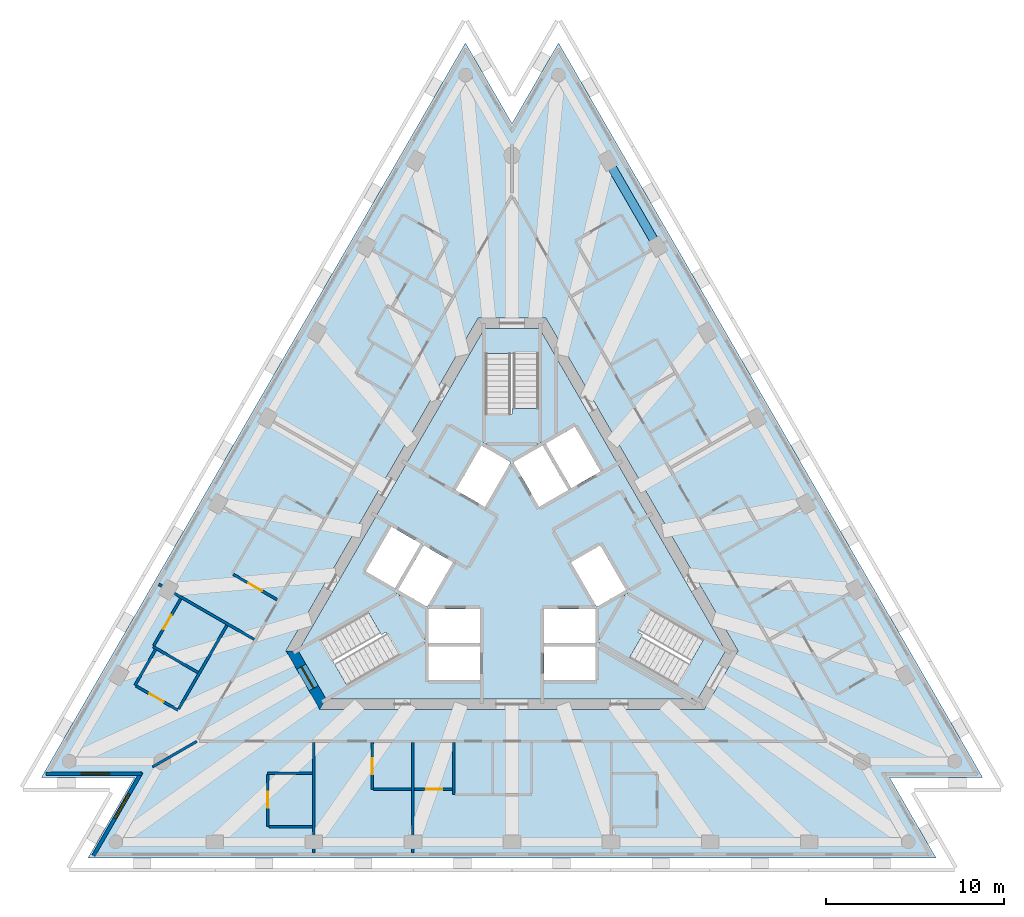
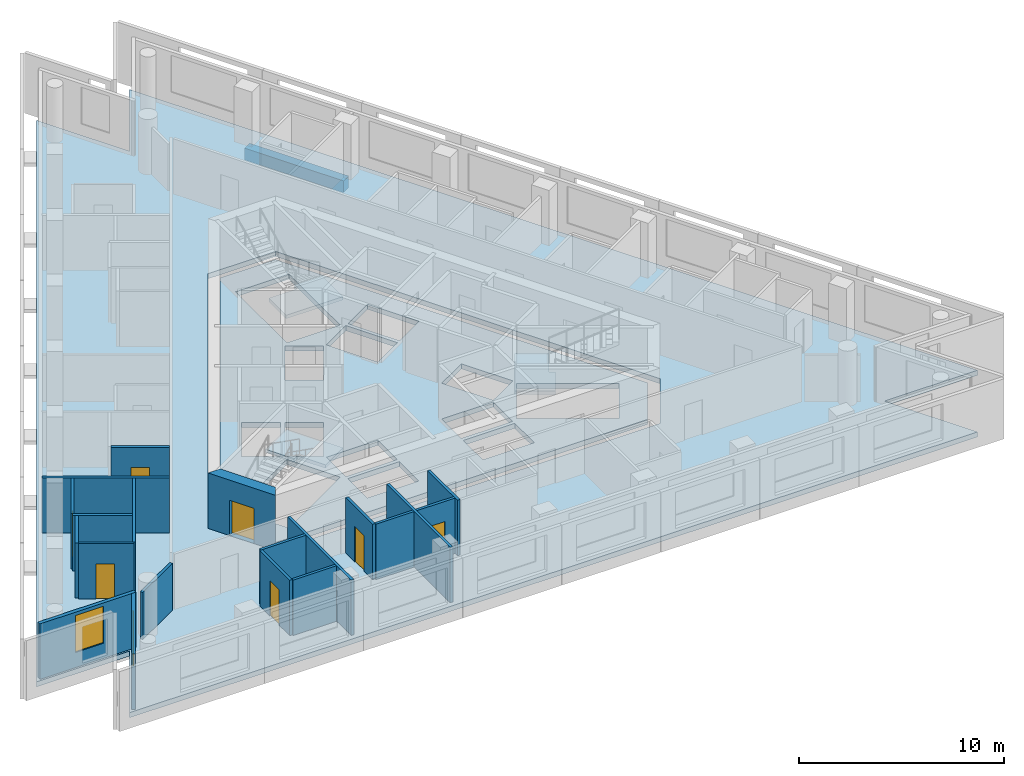
# One storey, part 2 of 10: 20 walls, 7 doors, 5 slabs, 2 windows, 1 beam, 9 openings, 3 elements without a shape of their own.
"""IFC4 building model written with IfcOpenShell, lengths in metres."""

import ifcopenshell
import ifcopenshell.guid

model = None  # the IFC model being written
_history = None  # IfcOwnerHistory: only IFC2X3 demands one
_inside = {}  # id of a spatial element -> (the spatial element, [elements in it])
_under = {}  # id of a project, library or spatial element -> (it, [spatial elements below it])
_declared = {}  # id of a project -> (the project, [libraries it declares])
_typed = {}  # id of a type object -> (the type object, [elements of that type])
_made_of = {}  # id of a material, layer set ... -> (it, [elements and type objects made of it])


def new_model(schema):
    """Start an empty IFC model of exactly this schema.

    Asked for "IFC4X3", IfcOpenShell would pick the latest addendum, in which some entities
    have other attributes; the version numbers below select the first issue.
    IFC2X3 requires an IfcOwnerHistory on every rooted entity: one is made here for all.
    """
    global model, _history
    if schema == "IFC4X3":
        model = ifcopenshell.file(schema_version=(4, 3, 0, 0))
    else:
        model = ifcopenshell.file(schema=schema)
    _inside.clear()
    _under.clear()
    _declared.clear()
    _typed.clear()
    _made_of.clear()
    _history = None
    if model.schema == "IFC2X3":
        org = make("IfcOrganization", Name="unknown")
        user = make(
            "IfcPersonAndOrganization",
            ThePerson=make("IfcPerson", FamilyName="unknown"),
            TheOrganization=org,
        )
        app = make(
            "IfcApplication",
            ApplicationDeveloper=org,
            Version="unknown",
            ApplicationFullName="unknown",
            ApplicationIdentifier="unknown",
        )
        _history = make(
            "IfcOwnerHistory",
            OwningUser=user,
            OwningApplication=app,
            ChangeAction="ADDED",
            CreationDate=0,
        )
    return model


def make(cls, **values):
    """One entity of the class cls with the attributes given. An attribute that is None is left unset."""
    return model.create_entity(
        cls, **{name: value for name, value in values.items() if value is not None}
    )


def rooted(cls, **values):
    """An entity with a GlobalId (a new one), such as an element, a storey or a relation."""
    return make(cls, GlobalId=ifcopenshell.guid.new(), OwnerHistory=_history, **values)


def si_unit(unit_type, name, prefix=None):
    """IfcSIUnit, for example si_unit("LENGTHUNIT", "METRE", prefix="MILLI")."""
    return make("IfcSIUnit", UnitType=unit_type, Prefix=prefix, Name=name)


def assignment(units):
    """IfcUnitAssignment: the units of a project."""
    return None if units is None else make("IfcUnitAssignment", Units=units)


def point(xyz):
    """IfcCartesianPoint."""
    return None if xyz is None else make("IfcCartesianPoint", Coordinates=xyz)


def direction(xyz):
    """IfcDirection."""
    return None if xyz is None else make("IfcDirection", DirectionRatios=xyz)


def frame(location, z_axis=None, x_axis=None):
    """IfcAxis2Placement3D, a coordinate frame: its origin and axes. An axis left out is left unset."""
    return make(
        "IfcAxis2Placement3D",
        Location=point(location),
        Axis=direction(z_axis),
        RefDirection=direction(x_axis),
    )


def frame_2d(location, x_axis=None):
    """IfcAxis2Placement2D, a coordinate frame in the plane: its origin and x axis."""
    return make(
        "IfcAxis2Placement2D", Location=point(location), RefDirection=direction(x_axis)
    )


def origin():
    """The frame at (0, 0, 0) with its axes left unset."""
    return frame((0.0, 0.0, 0.0))


def origin_2d():
    """The frame at (0, 0) in the plane with its x axis left unset."""
    return frame_2d((0.0, 0.0))


def place(relative_to, where):
    """IfcLocalPlacement: puts the frame where relative to a parent placement (None: the world)."""
    return make(
        "IfcLocalPlacement", PlacementRelTo=relative_to, RelativePlacement=where
    )


def context(
    kind, dimensions, precision=None, world=None, true_north=None, identifier=None
):
    """IfcGeometricRepresentationContext, for example the 3D "Model" context."""
    return make(
        "IfcGeometricRepresentationContext",
        ContextIdentifier=identifier,
        ContextType=kind,
        CoordinateSpaceDimension=dimensions,
        Precision=precision,
        WorldCoordinateSystem=world,
        TrueNorth=true_north,
    )


def subcontext(parent, identifier, kind, view, scale=None):
    """IfcGeometricRepresentationSubContext, for example "Body" below "Model"."""
    return make(
        "IfcGeometricRepresentationSubContext",
        ContextIdentifier=identifier,
        ContextType=kind,
        ParentContext=parent,
        TargetScale=scale,
        TargetView=view,
    )


def project(units=None, contexts=None):
    """IfcProject with its units and contexts."""
    return rooted(
        "IfcProject",
        Name="project",
        RepresentationContexts=contexts,
        UnitsInContext=assignment(units),
    )


def spatial(cls, under=None, at=None, **own):
    """A site, building, storey or space (cls), placed at a placement, below another one or the project."""
    s = rooted(cls, ObjectPlacement=at, **own)
    if under is not None:
        _under.setdefault(under.id(), (under, []))[1].append(s)
    return s


def polyline(points):
    """IfcPolyline through the points."""
    return make("IfcPolyline", Points=[point(p) for p in points])


def profile(cls, at=None, kind="AREA", **sizes):
    """A parametric profile (cls). Its sizes go by their IFC names, for example OverallWidth=200.0."""
    return make(cls, ProfileType=kind, Position=at, **sizes)


def rectangle(**sizes):
    """IfcRectangleProfileDef."""
    return profile("IfcRectangleProfileDef", **sizes)


def outline(outer, holes=None, kind="AREA"):
    """IfcArbitraryClosedProfileDef: a profile drawn as a closed curve; with holes, ...WithVoids."""
    if holes is None:
        return make("IfcArbitraryClosedProfileDef", ProfileType=kind, OuterCurve=outer)
    return make(
        "IfcArbitraryProfileDefWithVoids",
        ProfileType=kind,
        OuterCurve=outer,
        InnerCurves=holes,
    )


def extrude(swept, where, along, depth):
    """IfcExtrudedAreaSolid: the profile swept, set in the frame where, extruded along a direction by depth."""
    return make(
        "IfcExtrudedAreaSolid",
        SweptArea=swept,
        Position=where,
        ExtrudedDirection=direction(along),
        Depth=depth,
    )


def shape(context_of_items, identifier, shape_type, items):
    """IfcShapeRepresentation: the items that make up one representation, for example the "Body"."""
    return make(
        "IfcShapeRepresentation",
        ContextOfItems=context_of_items,
        RepresentationIdentifier=identifier,
        RepresentationType=shape_type,
        Items=items,
    )


def material(Name=None, Category=None):
    """IfcMaterial."""
    return make("IfcMaterial", Name=Name, Category=Category)


def layer(
    of_material, thickness, ventilated=None, Name=None, Category=None, Priority=None
):
    """IfcMaterialLayer: one layer of a wall or slab, of a material (None: an air gap)."""
    return make(
        "IfcMaterialLayer",
        Material=of_material,
        LayerThickness=thickness,
        IsVentilated=ventilated,
        Name=Name,
        Category=Category,
        Priority=Priority,
    )


def layer_set(layers, Name=None):
    """IfcMaterialLayerSet."""
    return make("IfcMaterialLayerSet", MaterialLayers=layers, LayerSetName=Name)


def layer_usage(for_layer_set, set_direction, sense, offset, extent=None):
    """IfcMaterialLayerSetUsage: how a layer set lies in its element."""
    return make(
        "IfcMaterialLayerSetUsage",
        ForLayerSet=for_layer_set,
        LayerSetDirection=set_direction,
        DirectionSense=sense,
        OffsetFromReferenceLine=offset,
        ReferenceExtent=extent,
    )


def material_profile(
    of_material, cross_section, Name=None, Category=None, Priority=None
):
    """IfcMaterialProfile: a cross section and its material."""
    return make(
        "IfcMaterialProfile",
        Name=Name,
        Material=of_material,
        Profile=cross_section,
        Priority=Priority,
        Category=Category,
    )


def profile_set(profiles, Name=None, composite=None):
    """IfcMaterialProfileSet."""
    return make(
        "IfcMaterialProfileSet",
        Name=Name,
        MaterialProfiles=profiles,
        CompositeProfile=composite,
    )


def made_of(thing, what):
    """Note that an element or type object is made of a material, layer set ...; save() writes the relation."""
    if what is not None:
        _made_of.setdefault(what.id(), (what, []))[1].append(thing)
    return thing


def type_object(cls, material=None, **own):
    """A type object (cls), such as IfcWallType, which elements share."""
    return made_of(rooted(cls, **own), material)


def element(
    cls,
    number,
    at=None,
    inside=None,
    cuts=None,
    type_object=None,
    material=None,
    context=None,
    identifier="Body",
    shape_type=None,
    held_by="IfcProductDefinitionShape",
    body=None,
    shapes=None,
    **own,
):
    """One element of the class cls, such as IfcWall. Its Tag is "e" and its number.

    at: its placement. inside: the storey or other place that contains it. cuts: it is an
    opening in that element (IfcRelVoidsElement). A single representation is given by context,
    identifier, shape_type and body (its items); several are given by shapes. held_by: the class
    of the entity that holds the representations. save() writes the other relations.
    """
    e = rooted(cls, Tag="e%d" % number, ObjectPlacement=at, **own)
    if body is not None:
        shapes = [shape(context, identifier, shape_type, body)]
    if shapes is not None:
        e.Representation = make(held_by, Representations=shapes)
    if inside is not None:
        _inside.setdefault(inside.id(), (inside, []))[1].append(e)
    if cuts is not None:
        rooted(
            "IfcRelVoidsElement", RelatingBuildingElement=cuts, RelatedOpeningElement=e
        )
    if type_object is not None:
        _typed.setdefault(type_object.id(), (type_object, []))[1].append(e)
    return made_of(e, material)


def fill(opening, filler):
    """IfcRelFillsElement: the door or window that sits in an opening."""
    return rooted(
        "IfcRelFillsElement",
        RelatingOpeningElement=opening,
        RelatedBuildingElement=filler,
    )


def aggregate(whole, parts):
    """IfcRelAggregates: a whole, such as a stair, and the parts it consists of."""
    return rooted("IfcRelAggregates", RelatingObject=whole, RelatedObjects=parts)


def save(model, path):
    """Write the relations noted so far, then the file.

    IfcRelAggregates (storeys below a building ...), IfcRelContainedInSpatialStructure (elements
    in a storey), IfcRelDefinesByType, IfcRelAssociatesMaterial and IfcRelDeclares: one each for
    every whole, place, type object, material and project.
    """
    for whole, parts in _under.values():
        aggregate(whole, parts)
    for where, things in _inside.values():
        rooted(
            "IfcRelContainedInSpatialStructure",
            RelatedElements=things,
            RelatingStructure=where,
        )
    for kind, things in _typed.values():
        rooted("IfcRelDefinesByType", RelatedObjects=things, RelatingType=kind)
    for what, things in _made_of.values():
        rooted("IfcRelAssociatesMaterial", RelatedObjects=things, RelatingMaterial=what)
    for by, libraries in _declared.values():
        rooted("IfcRelDeclares", RelatingContext=by, RelatedDefinitions=libraries)
    model.write(path)


model = new_model("IFC4")

# Units and contexts
model_context = context("Model", 3, precision=1e-05, world=origin(), true_north=direction((0.0, 1.0)))
body_context = subcontext(model_context, "Body", "Model", "MODEL_VIEW")
ifc_project = project(units=[si_unit("LENGTHUNIT", "METRE"), si_unit("AREAUNIT", "SQUARE_METRE"), si_unit("VOLUMEUNIT", "CUBIC_METRE"), si_unit("PLANEANGLEUNIT", "RADIAN"), si_unit("MASSUNIT", "GRAM", prefix="KILO")], contexts=[model_context])

# Site, building, storey
site_placement = place(None, origin())
site = spatial("IfcSite", under=ifc_project, at=site_placement, CompositionType="ELEMENT")
building_placement = place(site_placement, origin())
building = spatial("IfcBuilding", under=site, at=building_placement, Name="Triada Interchange Tower", CompositionType="ELEMENT")
storey_placement = place(building_placement, frame((0.0, 0.0, 271.89990234375)))
storey = spatial("IfcBuildingStorey", under=building, at=storey_placement, Name="L63", CompositionType="ELEMENT", Elevation=271.89990234375)

# Beam
ifc_material_1 = material(Name="Concrete C50/60", Category="concrete")
ifc_material_profile = material_profile(ifc_material_1, rectangle(XDim=0.5, YDim=0.699951171875, at=origin_2d()), Name="RC 500x700")
ifc_profile_set = profile_set([ifc_material_profile], Name="Concrete C50/60")
beam_type = type_object("IfcBeamType", Name="Spandrel beam D RC 500x700", PredefinedType="BEAM", material=ifc_profile_set)
beam_placement = place(storey_placement, frame((8.202880859375, 17.6259765625, -0.64990234375), z_axis=(-0.499926960557, 0.86606756902, 0.0), x_axis=(-0.86606756902, -0.499926960557, 0.0)))
element("IfcBeam", 1, at=beam_placement, inside=storey, type_object=beam_type, Name="Spandrel beam ED27 L63", PredefinedType="BEAM", context=body_context, shape_type="SweptSolid", body=[
    extrude(rectangle(XDim=0.5, YDim=0.699951171875, at=origin_2d()), origin(), (0.0, 0.0, 1.0), 5.580322265625),
])

# Slabs
ifc_layer_1 = layer(ifc_material_1, 0.300048828125)
ifc_layer_set_1 = layer_set([ifc_layer_1], Name="Floor slab 300")
slab_type_1 = type_object("IfcSlabType", Name="Floor slab 300", PredefinedType="FLOOR", material=ifc_layer_set_1)
slab_1_placement = place(storey_placement, frame((0.0, 0.0, -0.2998046875)))
element("IfcSlab", 2, at=slab_1_placement, inside=storey, type_object=slab_type_1, Name="Floor slab L63", PredefinedType="FLOOR", context=body_context, shape_type="SweptSolid", body=[
    extrude(outline(polyline([(-2.6220703125, 29.093017578125), (-26.506103515625, -12.27587890625), (-21.262939453125, -12.27587890625), (-23.885009765625, -16.81689453125), (23.885009765625, -16.81689453125), (21.262939453125, -12.27587890625), (26.506103515625, -12.27587890625), (2.6220703125, 29.093017578125), (0.0, 24.552978515625), (-2.6220703125, 29.093017578125)]), holes=[polyline([(1.905029296875, 13.60009765625), (-1.905029296875, 13.60009765625), (-12.73095703125, -5.14990234375), (-10.824951171875, -8.449951171875), (10.824951171875, -8.449951171875), (12.73095703125, -5.14990234375), (1.905029296875, 13.60009765625)])]), origin(), (0.0, 0.0, 1.0), 0.2998046875),
])
slab_2_placement = place(storey_placement, frame((0.0, 0.0, -0.2998046875)))
element("IfcSlab", 3, at=slab_2_placement, inside=storey, type_object=slab_type_1, Name="Core floor slab L63 1", PredefinedType="FLOOR", context=body_context, shape_type="SweptSolid", body=[
    extrude(outline(polyline([(12.0380859375, -5.14990234375), (10.47900390625, -7.85009765625), (-10.47900390625, -7.85009765625), (-12.0380859375, -5.14990234375), (-1.55908203125, 13.0), (1.55908203125, 13.0), (12.0380859375, -5.14990234375)]), holes=[polyline([(9.2958984375, -7.09912109375), (10.7958984375, -4.5009765625), (6.466064453125, -2.0009765625), (4.966064453125, -4.59912109375), (9.2958984375, -7.09912109375)]), polyline([(4.969970703125, 0.791015625), (3.324951171875, -0.158935546875), (4.77490234375, -2.669921875), (6.419921875, -1.719970703125), (4.969970703125, 0.791015625)]), polyline([(1.89404296875, 6.52001953125), (3.343994140625, 4.009033203125), (4.989013671875, 4.958984375), (3.5390625, 7.469970703125), (1.89404296875, 6.52001953125)]), polyline([(1.800048828125, -4.89990234375), (1.800048828125, -6.4990234375), (1.800048828125, -6.800048828125), (4.699951171875, -6.800048828125), (4.699951171875, -4.89990234375), (1.800048828125, -4.89990234375)]), polyline([(4.699951171875, -2.800048828125), (1.800048828125, -2.800048828125), (1.800048828125, -4.699951171875), (4.699951171875, -4.699951171875), (4.699951171875, -2.800048828125)]), polyline([(1.52490234375, 2.958984375), (2.594970703125, 3.576904296875), (3.169921875, 3.908935546875), (1.719970703125, 6.419921875), (0.074951171875, 5.469970703125), (1.52490234375, 2.958984375)]), polyline([(-1.5, 11.60009765625), (-1.5, 6.60009765625), (1.5, 6.60009765625), (1.5, 11.60009765625), (-1.5, 11.60009765625)]), polyline([(-1.52490234375, 2.958984375), (-0.074951171875, 5.469970703125), (-1.719970703125, 6.419921875), (-3.169921875, 3.908935546875), (-1.52490234375, 2.958984375)]), polyline([(-1.800048828125, -2.800048828125), (-4.699951171875, -2.800048828125), (-4.699951171875, -4.699951171875), (-1.800048828125, -4.699951171875), (-1.800048828125, -2.800048828125)]), polyline([(-4.699951171875, -6.800048828125), (-1.800048828125, -6.800048828125), (-1.800048828125, -6.4990234375), (-1.800048828125, -4.89990234375), (-4.699951171875, -4.89990234375), (-4.699951171875, -6.800048828125)]), polyline([(-3.427978515625, -0.09912109375), (-4.969970703125, 0.791015625), (-6.419921875, -1.719970703125), (-4.77490234375, -2.669921875), (-3.324951171875, -0.158935546875), (-3.427978515625, -0.09912109375)]), polyline([(-10.7958984375, -4.5009765625), (-9.2958984375, -7.09912109375), (-4.966064453125, -4.59912109375), (-6.466064453125, -2.0009765625), (-10.7958984375, -4.5009765625)]), polyline([(-6.593994140625, -1.6201171875), (-5.14404296875, 0.89111328125), (-6.7890625, 1.841064453125), (-8.239013671875, -0.669921875), (-6.593994140625, -1.6201171875)])]), origin(), (0.0, 0.0, 1.0), 0.2998046875),
])

# Stair, slab
ifc_material_2 = material(Name="Concrete C35/45", Category="concrete")
stair_type = type_object("IfcStairType", Name="HALF TURN STAIR 1400", PredefinedType="HALF_TURN_STAIR", material=ifc_material_2)
stair_1_placement = place(storey_placement, origin())
stair_1 = element("IfcStair", 4, at=stair_1_placement, inside=storey, type_object=stair_type, Name="Exit stair S62-1", PredefinedType="HALF_TURN_STAIR")
ifc_layer_2 = layer(ifc_material_2, 0.199951171875)
ifc_layer_set_2 = layer_set([ifc_layer_2], Name="STAIR LANDING 200")
slab_type_2 = type_object("IfcSlabType", Name="STAIR LANDING 200", PredefinedType="LANDING", material=ifc_layer_set_2)
slab_3_placement = place(storey_placement, frame((0.0, 0.0, 1.521728515625)))
slab_3 = element("IfcSlab", 5, at=slab_3_placement, type_object=slab_type_2, Name="S62-1 landing 1", PredefinedType="LANDING", context=body_context, shape_type="SweptSolid", body=[
    extrude(outline(polyline([(1.60009765625, 6.5), (1.60009765625, 8.5), (0.0, 8.5), (0.0, 8.18994140625), (-1.60009765625, 8.18994140625), (-1.60009765625, 6.5), (1.60009765625, 6.5)])), origin(), (0.0, 0.0, 1.0), 0.199951171875),
])
aggregate(stair_1, [slab_3])

stair_2_placement = place(storey_placement, origin())
stair_2 = element("IfcStair", 6, at=stair_2_placement, inside=storey, type_object=stair_type, Name="Exit stair S62-2", PredefinedType="HALF_TURN_STAIR")
slab_4_placement = place(storey_placement, frame((0.0, 0.0, 1.521728515625)))
slab_4 = element("IfcSlab", 7, at=slab_4_placement, type_object=slab_type_2, Name="S62-2 landing 1", PredefinedType="LANDING", context=body_context, shape_type="SweptSolid", body=[
    extrude(outline(polyline([(-6.428955078125, -1.864013671875), (-8.160888671875, -2.864013671875), (-7.361083984375, -4.25), (-7.093017578125, -4.094970703125), (-6.29296875, -5.48095703125), (-4.8291015625, -4.635986328125), (-6.428955078125, -1.864013671875)])), origin(), (0.0, 0.0, 1.0), 0.199951171875),
])
aggregate(stair_2, [slab_4])

stair_3_placement = place(storey_placement, origin())
stair_3 = element("IfcStair", 8, at=stair_3_placement, inside=storey, type_object=stair_type, Name="Exit stair S62-3", PredefinedType="HALF_TURN_STAIR")
slab_5_placement = place(storey_placement, frame((0.0, 0.0, 1.521728515625)))
slab_5 = element("IfcSlab", 9, at=slab_5_placement, type_object=slab_type_2, Name="S62-3 landing 1", PredefinedType="LANDING", context=body_context, shape_type="SweptSolid", body=[
    extrude(outline(polyline([(4.8291015625, -4.635986328125), (6.56103515625, -5.635986328125), (7.361083984375, -4.25), (7.093017578125, -4.094970703125), (7.89306640625, -2.708984375), (6.428955078125, -1.864013671875), (4.8291015625, -4.635986328125)])), origin(), (0.0, 0.0, 1.0), 0.199951171875),
])
aggregate(stair_3, [slab_5])

# Wall, opening, door
ifc_material_3 = material(Name="Concrete C40/50", Category="concrete")
ifc_layer_3 = layer(ifc_material_3, 0.60009765625)
ifc_layer_set_3 = layer_set([ifc_layer_3], Name="Core wall D 600")
wall_type_1 = type_object("IfcWallType", Name="Core wall D 600", PredefinedType="SHEAR", material=ifc_layer_set_3)
wall_1_placement = place(storey_placement, frame((-12.384033203125, -5.14990234375, -0.2998046875), z_axis=(0.0, 0.0, 1.0), x_axis=(0.49997462182, -0.866040055388, 0.0)))
wall_1 = element("IfcWall", 10, at=wall_1_placement, inside=storey, type_object=wall_type_1, Name="Core wall WD03 L63", PredefinedType="SHEAR", context=body_context, shape_type="SweptSolid", body=[
    extrude(outline(polyline([(-0.173095703125, -0.301025390625), (1.73193359375, -0.300537109375), (3.636962890625, -0.300048828125), (3.291015625, 0.300048828125), (1.73193359375, 0.300048828125), (0.173095703125, 0.300048828125), (-0.173095703125, -0.301025390625)])), origin(), (0.0, 0.0, 1.0), 3.599853515625),
])
opening_1_placement = place(wall_1_placement, frame((1.031982421875, 0.0, 0.300048828125)))
opening_1 = element("IfcOpeningElement", 11, at=opening_1_placement, cuts=wall_1, Name="Opening D62-49", PredefinedType="OPENING", context=body_context, shape_type="SweptSolid", body=[
    extrude(rectangle(XDim=1.39990234375, YDim=2.10009765625, at=frame_2d((0.699951171875, 1.050048828125))), frame((0.0, 0.31005859375, 0.0), z_axis=(0.0, -1.0, 0.0), x_axis=(1.0, 0.0, 0.0)), (0.0, 0.0, 1.0), 0.62109375),
])
ifc_material_4 = material(Name="Steel S235 door leaf", Category="steel")
door_type_1 = type_object("IfcDoorType", Name="STAIR DOOR 1400 EI2 90-C5S200", OperationType="DOUBLE_DOOR_SINGLE_SWING", PredefinedType="DOOR", material=ifc_material_4)
door_1_placement = place(opening_1_placement, origin())
door_1 = element("IfcDoor", 12, at=door_1_placement, inside=storey, type_object=door_type_1, Name="Door D62-49 L63", OperationType="DOUBLE_DOOR_SINGLE_SWING", OverallHeight=2.10009765625, OverallWidth=1.39990234375, PredefinedType="DOOR", context=body_context, shape_type="SweptSolid", body=[
    extrude(rectangle(XDim=1.39990234375, YDim=2.10009765625, at=frame_2d((0.699951171875, 1.050048828125))), frame((0.0, 0.02490234375, 0.0), z_axis=(0.0, -1.0, 0.0), x_axis=(1.0, 0.0, 0.0)), (0.0, 0.0, 1.0), 0.050048828125),
])
fill(opening_1, door_1)

# Wall, opening, window
ifc_material_5 = material(Name="Cement board")
ifc_layer_4 = layer(ifc_material_5, 0.02001953125, Name="Cement board cladding")
ifc_material_6 = material(Name="Sheathing board")
ifc_layer_5 = layer(ifc_material_6, 0.014892578125, Name="Sheathing board")
ifc_material_7 = material(Name="Mineral wool")
ifc_layer_6 = layer(ifc_material_7, 0.14990234375, Name="Mineral wool between steel studs")
ifc_material_8 = material(Name="Gypsum board")
ifc_layer_7 = layer(ifc_material_8, 0.014892578125, Name="Plasterboard lining")
ifc_layer_set_4 = layer_set([ifc_layer_4, ifc_layer_5, ifc_layer_6, ifc_layer_7], Name="External wall 200")
ifc_layer_usage = layer_usage(ifc_layer_set_4, "AXIS2", "POSITIVE", -0.10009765625)
wall_type_2 = type_object("IfcWallType", Name="External wall 200", PredefinedType="ELEMENTEDWALL", material=ifc_layer_set_4)
wall_2_placement = place(storey_placement, frame((-26.25, -12.075927734375, 0.0), z_axis=(0.0, 0.0, 1.0), x_axis=(1.0, 0.0, 0.0)))
wall_2 = element("IfcWall", 13, at=wall_2_placement, inside=storey, type_object=wall_type_2, material=ifc_layer_usage, Name="External wall L63 SW-1", PredefinedType="ELEMENTEDWALL", context=body_context, shape_type="SweptSolid", body=[
    extrude(rectangle(XDim=5.403076171875, YDim=0.199951171875, at=frame_2d((2.70166015625, 0.0))), origin(), (0.0, 0.0, 1.0), 3.300048828125),
])
opening_2_placement = place(wall_2_placement, frame((1.989990234375, 0.0, 0.89990234375)))
opening_2 = element("IfcOpeningElement", 14, at=opening_2_placement, cuts=wall_2, Name="Opening WD09", PredefinedType="OPENING", context=body_context, shape_type="SweptSolid", body=[
    extrude(rectangle(XDim=1.60009765625, YDim=2.199951171875, at=frame_2d((0.800048828125, 1.10009765625))), frame((0.0, 0.10986328125, 0.0), z_axis=(0.0, -1.0, 0.0), x_axis=(1.0, 0.0, 0.0)), (0.0, 0.0, 1.0), 0.219970703125),
])
ifc_material_9 = material(Name="Double glazed aluminium window", Category="aluminium")
window_type = type_object("IfcWindowType", Name="Ribbon window D pocket", PartitioningType="SINGLE_PANEL", PredefinedType="WINDOW", material=ifc_material_9)
window_1_placement = place(opening_2_placement, origin())
window_1 = element("IfcWindow", 15, at=window_1_placement, inside=storey, type_object=window_type, Name="Window L63 SW-1 1", OverallHeight=2.199951171875, OverallWidth=1.60009765625, PartitioningType="SINGLE_PANEL", PredefinedType="WINDOW", context=body_context, shape_type="SweptSolid", body=[
    extrude(rectangle(XDim=1.60009765625, YDim=2.199951171875, at=frame_2d((0.800048828125, 1.10009765625))), frame((0.0, 0.030029296875, 0.0), z_axis=(0.0, -1.0, 0.0), x_axis=(1.0, 0.0, 0.0)), (0.0, 0.0, 1.0), 0.06005859375),
])
fill(opening_2, window_1)

wall_3_placement = place(storey_placement, frame((-20.8720703125, -11.998046875, 0.0), z_axis=(0.0, 0.0, 1.0), x_axis=(-0.499992297805, -0.866029850603, 0.0)))
wall_3 = element("IfcWall", 16, at=wall_3_placement, inside=storey, type_object=wall_type_2, material=ifc_layer_usage, Name="External wall L63 SW-2", PredefinedType="ELEMENTEDWALL", context=body_context, shape_type="SweptSolid", body=[
    extrude(rectangle(XDim=5.40380859375, YDim=0.199951171875, at=frame_2d((2.701904296875, 0.0))), origin(), (0.0, 0.0, 1.0), 3.300048828125),
])
opening_3_placement = place(wall_3_placement, frame((1.389892578125, 0.0, 0.89990234375)))
opening_3 = element("IfcOpeningElement", 17, at=opening_3_placement, cuts=wall_3, Name="Opening WD10", PredefinedType="OPENING", context=body_context, shape_type="SweptSolid", body=[
    extrude(rectangle(XDim=1.60009765625, YDim=2.199951171875, at=frame_2d((0.800048828125, 1.10009765625))), frame((0.0, 0.10986328125, 0.0), z_axis=(0.0, -1.0, 0.0), x_axis=(1.0, 0.0, 0.0)), (0.0, 0.0, 1.0), 0.219970703125),
])
window_2_placement = place(opening_3_placement, origin())
window_2 = element("IfcWindow", 18, at=window_2_placement, inside=storey, type_object=window_type, Name="Window L63 SW-2 1", OverallHeight=2.199951171875, OverallWidth=1.60009765625, PartitioningType="SINGLE_PANEL", PredefinedType="WINDOW", context=body_context, shape_type="SweptSolid", body=[
    extrude(rectangle(XDim=1.60009765625, YDim=2.199951171875, at=frame_2d((0.800048828125, 1.10009765625))), frame((0.0, 0.030029296875, 0.0), z_axis=(0.0, -1.0, 0.0), x_axis=(1.0, 0.0, 0.0)), (0.0, 0.0, 1.0), 0.06005859375),
])
fill(opening_3, window_2)

# Walls
ifc_material_10 = material(Name="Gypsum board partition")
ifc_layer_8 = layer(ifc_material_10, 0.14990234375)
ifc_layer_set_5 = layer_set([ifc_layer_8], Name="PARTITION 150 EI 180")
wall_type_3 = type_object("IfcWallType", Name="PARTITION 150 EI 180", PredefinedType="PARTITIONING", material=ifc_layer_set_5)
wall_4_placement = place(storey_placement, frame((-20.240966796875, -11.68603515625, 0.0), z_axis=(0.0, 0.0, 1.0), x_axis=(0.86594358484, 0.5001416878, 0.0)))
element("IfcWall", 19, at=wall_4_placement, inside=storey, type_object=wall_type_3, Name="Wall L62 1", PredefinedType="PARTITIONING", context=body_context, shape_type="SweptSolid", body=[
    extrude(rectangle(XDim=2.873291015625, YDim=0.14990234375, at=frame_2d((1.4365234375, 0.0))), origin(), (0.0, 0.0, 1.0), 2.800048828125),
])
wall_5_placement = place(storey_placement, frame((-19.903076171875, -1.39892578125, 0.0), z_axis=(0.0, 0.0, 1.0), x_axis=(0.866043575568, -0.499968524226, 0.0)))
element("IfcWall", 20, at=wall_5_placement, inside=storey, type_object=wall_type_3, Name="Wall L62 3", PredefinedType="PARTITIONING", context=body_context, shape_type="SweptSolid", body=[
    extrude(rectangle(XDim=6.21240234375, YDim=0.14990234375, at=frame_2d((3.106201171875, 0.0))), origin(), (0.0, 0.0, 1.0), 3.300048828125),
])
for number, where, z_axis, x_axis, name in (
    (21, (-11.1630859375, -16.537109375, 0.0), (0.0, 0.0, 1.0), (0.0, 1.0, 0.0), "Wall L62 9"),
    (22, (-5.5810546875, -16.537109375, 0.0), (0.0, 0.0, 1.0), (0.0, 1.0, 0.0), "Wall L62 16"),
):
    element("IfcWall", number, at=place(storey_placement, frame(where, z_axis=z_axis, x_axis=x_axis)), inside=storey, type_object=wall_type_3, Name=name, PredefinedType="PARTITIONING", context=body_context, shape_type="SweptSolid", body=[
        extrude(rectangle(XDim=6.212158203125, YDim=0.14990234375, at=frame_2d((3.10595703125, 0.0))), origin(), (0.0, 0.0, 1.0), 3.300048828125),
    ])
wall_6_placement = place(storey_placement, frame((-3.281005859375, -13.25, 0.0), z_axis=(0.0, 0.0, 1.0), x_axis=(0.0, 1.0, 0.0)))
element("IfcWall", 23, at=wall_6_placement, inside=storey, type_object=wall_type_3, Name="Wall L62 17", PredefinedType="PARTITIONING", context=body_context, shape_type="SweptSolid", body=[
    extrude(rectangle(XDim=2.925048828125, YDim=0.14990234375, at=frame_2d((1.46240234375, 0.0))), origin(), (0.0, 0.0, 1.0), 3.300048828125),
])
ifc_layer_9 = layer(ifc_material_10, 0.14990234375)
ifc_layer_set_6 = layer_set([ifc_layer_9], Name="PARTITION 150 EI 90")
wall_type_4 = type_object("IfcWallType", Name="PARTITION 150 EI 90", PredefinedType="PARTITIONING", material=ifc_layer_set_6)
wall_7_placement = place(storey_placement, frame((-20.215087890625, -4.9140625, 0.0), z_axis=(0.0, 0.0, 1.0), x_axis=(0.866118873815, -0.499838070201, 0.0)))
element("IfcWall", 24, at=wall_7_placement, inside=storey, type_object=wall_type_4, Name="Wall L62 31", PredefinedType="PARTITIONING", context=body_context, shape_type="SweptSolid", body=[
    extrude(rectangle(XDim=2.9248046875, YDim=0.14990234375, at=frame_2d((1.46240234375, 0.0))), origin(), (0.0, 0.0, 1.0), 3.300048828125),
])
wall_8_placement = place(storey_placement, frame((-21.241943359375, -7.092041015625, 0.0), z_axis=(0.0, 0.0, 1.0), x_axis=(0.500216356891, 0.865900454035, 0.0)))
element("IfcWall", 25, at=wall_8_placement, inside=storey, type_object=wall_type_4, Name="Wall L62 32", PredefinedType="PARTITIONING", context=body_context, shape_type="SweptSolid", body=[
    extrude(rectangle(XDim=2.32470703125, YDim=0.14990234375, at=frame_2d((1.162353515625, 0.0))), origin(), (0.0, 0.0, 1.0), 3.300048828125),
])

# Wall, opening, door
wall_9_placement = place(storey_placement, frame((-21.177001953125, -7.1298828125, 0.0), z_axis=(0.0, 0.0, 1.0), x_axis=(0.866112488944, -0.499849133735, 0.0)))
wall_9 = element("IfcWall", 26, at=wall_9_placement, inside=storey, type_object=wall_type_4, Name="Wall L62 33", PredefinedType="PARTITIONING", context=body_context, shape_type="SweptSolid", body=[
    extrude(rectangle(XDim=2.724853515625, YDim=0.14990234375, at=frame_2d((1.3623046875, 0.0))), origin(), (0.0, 0.0, 1.0), 3.300048828125),
])
opening_4_placement = place(wall_9_placement, frame((0.875, 0.0, 0.0)))
opening_4 = element("IfcOpeningElement", 27, at=opening_4_placement, cuts=wall_9, Name="Opening D62-46", PredefinedType="OPENING", context=body_context, shape_type="SweptSolid", body=[
    extrude(rectangle(XDim=0.89990234375, YDim=2.10009765625, at=frame_2d((0.449951171875, 1.050048828125))), frame((0.0, 0.0849609375, 0.0), z_axis=(0.0, -1.0, 0.0), x_axis=(1.0, 0.0, 0.0)), (0.0, 0.0, 1.0), 0.169921875),
])
door_type_2 = type_object("IfcDoorType", Name="SERVICE DOOR 900 EI2 45-C5S200", OperationType="NOTDEFINED", PredefinedType="DOOR", material=ifc_material_4)
door_2_placement = place(opening_4_placement, origin())
door_2 = element("IfcDoor", 28, at=door_2_placement, inside=storey, type_object=door_type_2, Name="Door D62-46 L63", OperationType="SINGLE_SWING_RIGHT", OverallHeight=2.10009765625, OverallWidth=0.89990234375, PredefinedType="DOOR", context=body_context, shape_type="SweptSolid", body=[
    extrude(rectangle(XDim=0.89990234375, YDim=2.10009765625, at=frame_2d((0.449951171875, 1.050048828125))), frame((0.0, 0.02490234375, 0.0), z_axis=(0.0, -1.0, 0.0), x_axis=(1.0, 0.0, 0.0)), (0.0, 0.0, 1.0), 0.050048828125),
])
fill(opening_4, door_2)

# Wall
wall_10_placement = place(storey_placement, frame((-18.780029296875, -8.427001953125, 0.0), z_axis=(0.0, 0.0, 1.0), x_axis=(0.500002931134, 0.866023711487, 0.0)))
element("IfcWall", 29, at=wall_10_placement, inside=storey, type_object=wall_type_4, Name="Wall L62 34", PredefinedType="PARTITIONING", context=body_context, shape_type="SweptSolid", body=[
    extrude(rectangle(XDim=5.4501953125, YDim=0.14990234375, at=frame_2d((2.72509765625, 0.0))), origin(), (0.0, 0.0, 1.0), 3.300048828125),
])

# Wall, opening, door
wall_11_placement = place(storey_placement, frame((-20.177978515625, -4.84912109375, 0.0), z_axis=(0.0, 0.0, 1.0), x_axis=(0.499874869213, 0.866097636026, 0.0)))
wall_11 = element("IfcWall", 30, at=wall_11_placement, inside=storey, type_object=wall_type_4, Name="Wall L62 36", PredefinedType="PARTITIONING", context=body_context, shape_type="SweptSolid", body=[
    extrude(rectangle(XDim=3.050537109375, YDim=0.14990234375, at=frame_2d((1.525390625, 0.0))), origin(), (0.0, 0.0, 1.0), 3.300048828125),
])
opening_5_placement = place(wall_11_placement, frame((1.074951171875, 0.0, 0.0)))
opening_5 = element("IfcOpeningElement", 31, at=opening_5_placement, cuts=wall_11, Name="Opening D62-45", PredefinedType="OPENING", context=body_context, shape_type="SweptSolid", body=[
    extrude(rectangle(XDim=0.89990234375, YDim=2.10009765625, at=frame_2d((0.449951171875, 1.050048828125))), frame((0.0, 0.0849609375, 0.0), z_axis=(0.0, -1.0, 0.0), x_axis=(1.0, 0.0, 0.0)), (0.0, 0.0, 1.0), 0.169921875),
])
door_type_3 = type_object("IfcDoorType", Name="ROOM DOOR 900 EI2 45-C5S200", OperationType="NOTDEFINED", PredefinedType="DOOR", material=ifc_material_4)
door_3_placement = place(opening_5_placement, origin())
door_3 = element("IfcDoor", 32, at=door_3_placement, inside=storey, type_object=door_type_3, Name="Door D62-45 L63", OperationType="SINGLE_SWING_LEFT", OverallHeight=2.10009765625, OverallWidth=0.89990234375, PredefinedType="DOOR", context=body_context, shape_type="SweptSolid", body=[
    extrude(rectangle(XDim=0.89990234375, YDim=2.10009765625, at=frame_2d((0.449951171875, 1.050048828125))), frame((0.0, 0.02490234375, 0.0), z_axis=(0.0, -1.0, 0.0), x_axis=(1.0, 0.0, 0.0)), (0.0, 0.0, 1.0), 0.050048828125),
])
fill(opening_5, door_3)

wall_12_placement = place(storey_placement, frame((-15.699951171875, -0.843994140625, 0.0), z_axis=(0.0, 0.0, 1.0), x_axis=(0.866004402611, -0.500036373335, 0.0)))
wall_12 = element("IfcWall", 33, at=wall_12_placement, inside=storey, type_object=wall_type_4, Name="Wall L62 42", PredefinedType="PARTITIONING", context=body_context, shape_type="SweptSolid", body=[
    extrude(rectangle(XDim=2.849853515625, YDim=0.14990234375, at=frame_2d((1.4248046875, 0.0))), origin(), (0.0, 0.0, 1.0), 3.300048828125),
])
opening_6_placement = place(wall_12_placement, frame((0.97509765625, 0.0, 0.0)))
opening_6 = element("IfcOpeningElement", 34, at=opening_6_placement, cuts=wall_12, Name="Opening D62-43", PredefinedType="OPENING", context=body_context, shape_type="SweptSolid", body=[
    extrude(rectangle(XDim=0.89990234375, YDim=2.10009765625, at=frame_2d((0.449951171875, 1.050048828125))), frame((0.0, 0.0849609375, 0.0), z_axis=(0.0, -1.0, 0.0), x_axis=(1.0, 0.0, 0.0)), (0.0, 0.0, 1.0), 0.169921875),
])
door_4_placement = place(opening_6_placement, origin())
door_4 = element("IfcDoor", 35, at=door_4_placement, inside=storey, type_object=door_type_3, Name="Door D62-43 L63", OperationType="SINGLE_SWING_RIGHT", OverallHeight=2.10009765625, OverallWidth=0.89990234375, PredefinedType="DOOR", context=body_context, shape_type="SweptSolid", body=[
    extrude(rectangle(XDim=0.89990234375, YDim=2.10009765625, at=frame_2d((0.449951171875, 1.050048828125))), frame((0.0, 0.02490234375, 0.0), z_axis=(0.0, -1.0, 0.0), x_axis=(1.0, 0.0, 0.0)), (0.0, 0.0, 1.0), 0.050048828125),
])
fill(opening_6, door_4)

# Wall
wall_13_placement = place(storey_placement, frame((-13.762939453125, -12.050048828125, 0.0), z_axis=(0.0, 0.0, 1.0), x_axis=(1.0, 0.0, 0.0)))
element("IfcWall", 36, at=wall_13_placement, inside=storey, type_object=wall_type_4, Name="Wall L62 43", PredefinedType="PARTITIONING", context=body_context, shape_type="SweptSolid", body=[
    extrude(rectangle(XDim=2.52490234375, YDim=0.14990234375, at=frame_2d((1.262451171875, 0.0))), origin(), (0.0, 0.0, 1.0), 3.300048828125),
])

# Wall, opening, door
wall_14_placement = place(storey_placement, frame((-13.762939453125, -15.050048828125, 0.0), z_axis=(0.0, 0.0, 1.0), x_axis=(0.0, 1.0, 0.0)))
wall_14 = element("IfcWall", 37, at=wall_14_placement, inside=storey, type_object=wall_type_4, Name="Wall L62 45", PredefinedType="PARTITIONING", context=body_context, shape_type="SweptSolid", body=[
    extrude(rectangle(XDim=2.925048828125, YDim=0.14990234375, at=frame_2d((1.46240234375, 0.0))), origin(), (0.0, 0.0, 1.0), 3.300048828125),
])
opening_7_placement = place(wall_14_placement, frame((1.050048828125, 0.0, 0.0)))
opening_7 = element("IfcOpeningElement", 38, at=opening_7_placement, cuts=wall_14, Name="Opening D62-12", PredefinedType="OPENING", context=body_context, shape_type="SweptSolid", body=[
    extrude(rectangle(XDim=0.89990234375, YDim=2.10009765625, at=frame_2d((0.449951171875, 1.050048828125))), frame((0.0, 0.0849609375, 0.0), z_axis=(0.0, -1.0, 0.0), x_axis=(1.0, 0.0, 0.0)), (0.0, 0.0, 1.0), 0.169921875),
])
door_5_placement = place(opening_7_placement, origin())
door_5 = element("IfcDoor", 39, at=door_5_placement, inside=storey, type_object=door_type_3, Name="Door D62-12 L63", OperationType="SINGLE_SWING_RIGHT", OverallHeight=2.10009765625, OverallWidth=0.89990234375, PredefinedType="DOOR", context=body_context, shape_type="SweptSolid", body=[
    extrude(rectangle(XDim=0.89990234375, YDim=2.10009765625, at=frame_2d((0.449951171875, 1.050048828125))), frame((0.0, 0.02490234375, 0.0), z_axis=(0.0, -1.0, 0.0), x_axis=(1.0, 0.0, 0.0)), (0.0, 0.0, 1.0), 0.050048828125),
])
fill(opening_7, door_5)

# Wall
wall_15_placement = place(storey_placement, frame((-13.68798828125, -15.050048828125, 0.0), z_axis=(0.0, 0.0, 1.0), x_axis=(1.0, 0.0, 0.0)))
element("IfcWall", 40, at=wall_15_placement, inside=storey, type_object=wall_type_4, Name="Wall L62 46", PredefinedType="PARTITIONING", context=body_context, shape_type="SweptSolid", body=[
    extrude(rectangle(XDim=2.449951171875, YDim=0.14990234375, at=frame_2d((1.22509765625, 0.0))), origin(), (0.0, 0.0, 1.0), 3.300048828125),
])

# Wall, opening, door
wall_16_placement = place(storey_placement, frame((-7.881103515625, -12.949951171875, 0.0), z_axis=(0.0, 0.0, 1.0), x_axis=(0.0, 1.0, 0.0)))
wall_16 = element("IfcWall", 41, at=wall_16_placement, inside=storey, type_object=wall_type_4, Name="Wall L62 48", PredefinedType="PARTITIONING", context=body_context, shape_type="SweptSolid", body=[
    extrude(rectangle(XDim=2.625, YDim=0.14990234375, at=frame_2d((1.3125, 0.0))), origin(), (0.0, 0.0, 1.0), 3.300048828125),
])
opening_8_placement = place(wall_16_placement, frame((0.85009765625, 0.0, 0.0)))
opening_8 = element("IfcOpeningElement", 42, at=opening_8_placement, cuts=wall_16, Name="Opening D62-14", PredefinedType="OPENING", context=body_context, shape_type="SweptSolid", body=[
    extrude(rectangle(XDim=0.89990234375, YDim=2.10009765625, at=frame_2d((0.449951171875, 1.050048828125))), frame((0.0, 0.0849609375, 0.0), z_axis=(0.0, -1.0, 0.0), x_axis=(1.0, 0.0, 0.0)), (0.0, 0.0, 1.0), 0.169921875),
])
door_6_placement = place(opening_8_placement, origin())
door_6 = element("IfcDoor", 43, at=door_6_placement, inside=storey, type_object=door_type_3, Name="Door D62-14 L63", OperationType="SINGLE_SWING_LEFT", OverallHeight=2.10009765625, OverallWidth=0.89990234375, PredefinedType="DOOR", context=body_context, shape_type="SweptSolid", body=[
    extrude(rectangle(XDim=0.89990234375, YDim=2.10009765625, at=frame_2d((0.449951171875, 1.050048828125))), frame((0.0, 0.02490234375, 0.0), z_axis=(0.0, -1.0, 0.0), x_axis=(1.0, 0.0, 0.0)), (0.0, 0.0, 1.0), 0.050048828125),
])
fill(opening_8, door_6)

# Wall
wall_17_placement = place(storey_placement, frame((-7.805908203125, -12.949951171875, 0.0), z_axis=(0.0, 0.0, 1.0), x_axis=(1.0, 0.0, 0.0)))
element("IfcWall", 44, at=wall_17_placement, inside=storey, type_object=wall_type_4, Name="Wall L62 49", PredefinedType="PARTITIONING", context=body_context, shape_type="SweptSolid", body=[
    extrude(rectangle(XDim=2.14990234375, YDim=0.14990234375, at=frame_2d((1.074951171875, 0.0))), origin(), (0.0, 0.0, 1.0), 3.300048828125),
])

# Wall, opening, door
wall_18_placement = place(storey_placement, frame((-5.506103515625, -12.949951171875, 0.0), z_axis=(0.0, 0.0, 1.0), x_axis=(1.0, 0.0, 0.0)))
wall_18 = element("IfcWall", 45, at=wall_18_placement, inside=storey, type_object=wall_type_4, Name="Wall L62 50", PredefinedType="PARTITIONING", context=body_context, shape_type="SweptSolid", body=[
    extrude(rectangle(XDim=2.150146484375, YDim=0.14990234375, at=frame_2d((1.0751953125, 0.0))), origin(), (0.0, 0.0, 1.0), 3.300048828125),
])
opening_9_placement = place(wall_18_placement, frame((0.675048828125, 0.0, 0.0)))
opening_9 = element("IfcOpeningElement", 46, at=opening_9_placement, cuts=wall_18, Name="Opening D62-16", PredefinedType="OPENING", context=body_context, shape_type="SweptSolid", body=[
    extrude(rectangle(XDim=0.89990234375, YDim=2.10009765625, at=frame_2d((0.449951171875, 1.050048828125))), frame((0.0, 0.0849609375, 0.0), z_axis=(0.0, -1.0, 0.0), x_axis=(1.0, 0.0, 0.0)), (0.0, 0.0, 1.0), 0.169921875),
])
door_7_placement = place(opening_9_placement, origin())
door_7 = element("IfcDoor", 47, at=door_7_placement, inside=storey, type_object=door_type_3, Name="Door D62-16 L63", OperationType="SINGLE_SWING_LEFT", OverallHeight=2.10009765625, OverallWidth=0.89990234375, PredefinedType="DOOR", context=body_context, shape_type="SweptSolid", body=[
    extrude(rectangle(XDim=0.89990234375, YDim=2.10009765625, at=frame_2d((0.449951171875, 1.050048828125))), frame((0.0, 0.02490234375, 0.0), z_axis=(0.0, -1.0, 0.0), x_axis=(1.0, 0.0, 0.0)), (0.0, 0.0, 1.0), 0.050048828125),
])
fill(opening_9, door_7)

save(model, "model.ifc")
